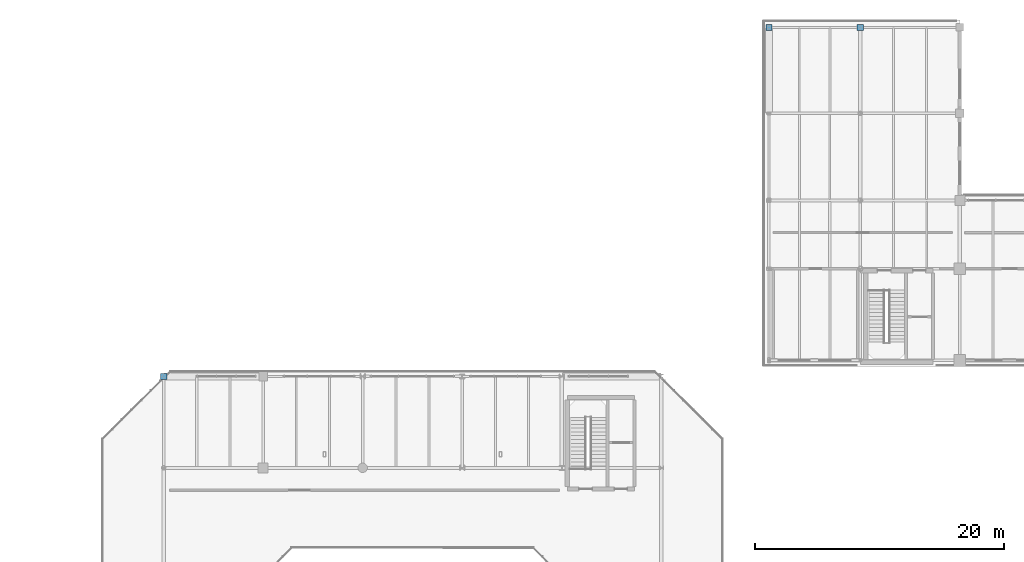
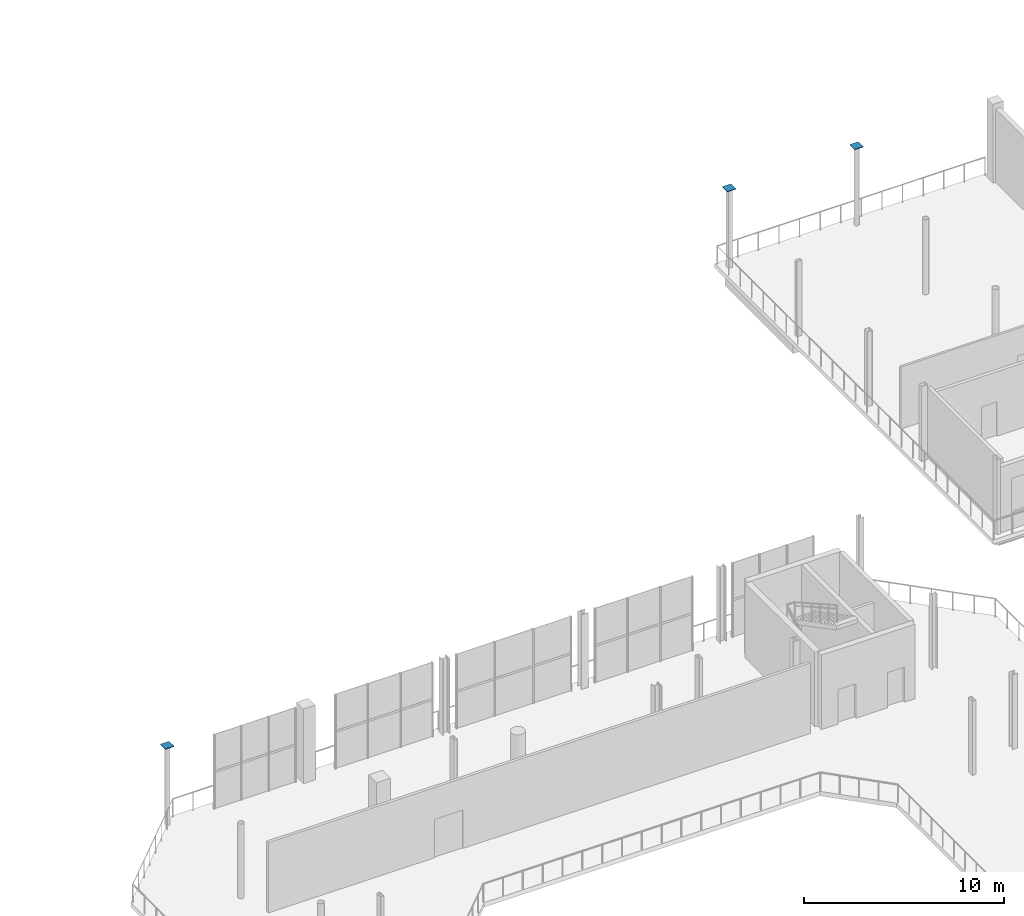
# One storey, part 44 of 51: 3 discrete accessories.
"""IFC4 building model written with IfcOpenShell, lengths in metres."""

from ifc_helpers import new_model, si_unit, direction, frame, origin, origin_2d, place, context, subcontext, project, spatial, rectangle, extrude, material, type_object, element, save


model = new_model("IFC4")

# Units and contexts
model_context = context("Model", 3, precision=1e-05, world=origin(), true_north=direction((0.0, 1.0)))
body_context = subcontext(model_context, "Body", "Model", "MODEL_VIEW")
ifc_project = project(units=[si_unit("LENGTHUNIT", "METRE"), si_unit("AREAUNIT", "SQUARE_METRE"), si_unit("VOLUMEUNIT", "CUBIC_METRE"), si_unit("PLANEANGLEUNIT", "RADIAN"), si_unit("MASSUNIT", "GRAM", prefix="KILO")], contexts=[model_context])

# Site, building, storey
site_placement = place(None, origin())
site = spatial("IfcSite", under=ifc_project, at=site_placement, CompositionType="ELEMENT")
building_placement = place(site_placement, origin())
building = spatial("IfcBuilding", under=site, at=building_placement, Name="Brisemont Oceanarium", CompositionType="ELEMENT")
storey_placement = place(building_placement, frame((0.0, 0.0, 15.0)))
storey = spatial("IfcBuildingStorey", under=building, at=storey_placement, Name="L03", CompositionType="ELEMENT", Elevation=15.0)

# Discrete accessories
ifc_material = material(Name="Structural Steel ASTM A572 Gr.50", Category="steel")
discrete_accessory_type = type_object("IfcDiscreteAccessoryType", Name="ACC-CAP-STL", PredefinedType="ANCHORPLATE", material=ifc_material)
for number, where, z_axis, x_axis, name in (
    (1, (64.0, 79.35009765625, 4.7900390625), (0.0, 0.0, 1.0), (1.0, 0.0, 0.0), "V1 L03 hollow column welded end cap (1,6)"),
    (2, (112.64990234375, 107.39990234375, 4.7900390625), (0.0, 0.0, 1.0), (1.0, 0.0, 0.0), "V6 L03 hollow column welded end cap (0,4)"),
    (3, (120.0, 107.39990234375, 4.7900390625), (0.0, 0.0, 1.0), (1.0, 0.0, 0.0), "V6 L03 hollow column welded end cap (1,4)"),
):
    element("IfcDiscreteAccessory", number, at=place(storey_placement, frame(where, z_axis=z_axis, x_axis=x_axis)), inside=storey, type_object=discrete_accessory_type, Name=name, PredefinedType="ANCHORPLATE", context=body_context, shape_type="SweptSolid", body=[
        extrude(rectangle(XDim=0.5, YDim=0.5, at=origin_2d()), origin(), (0.0, 0.0, 1.0), 0.030029296875),
    ])

save(model, "model.ifc")
